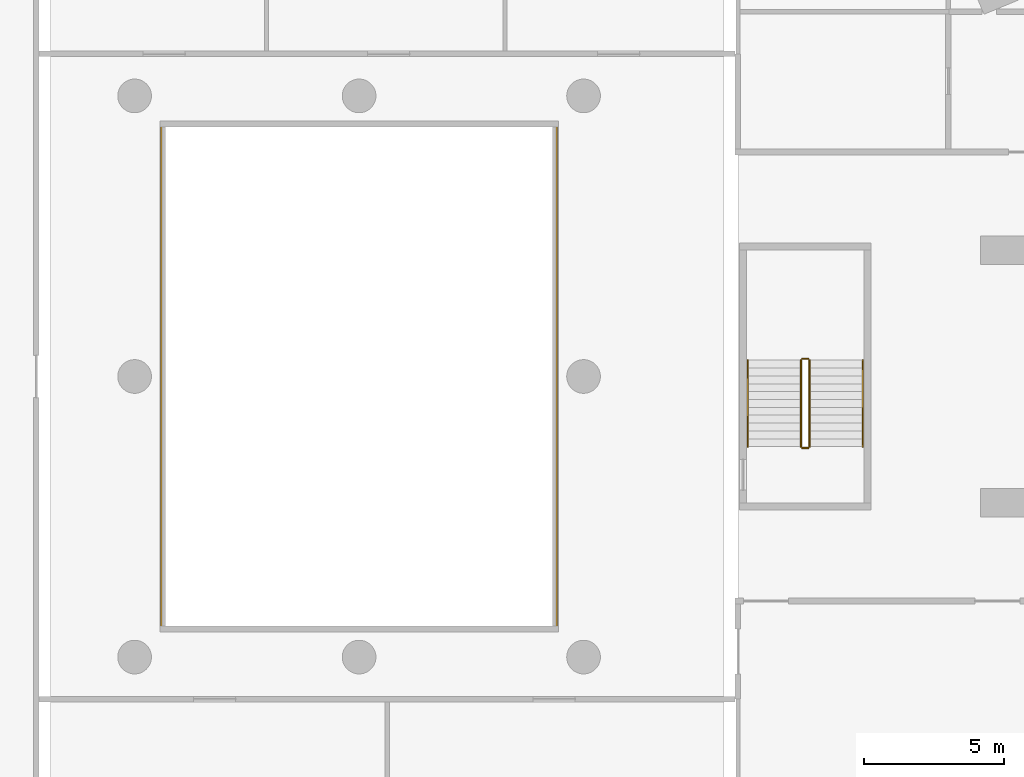
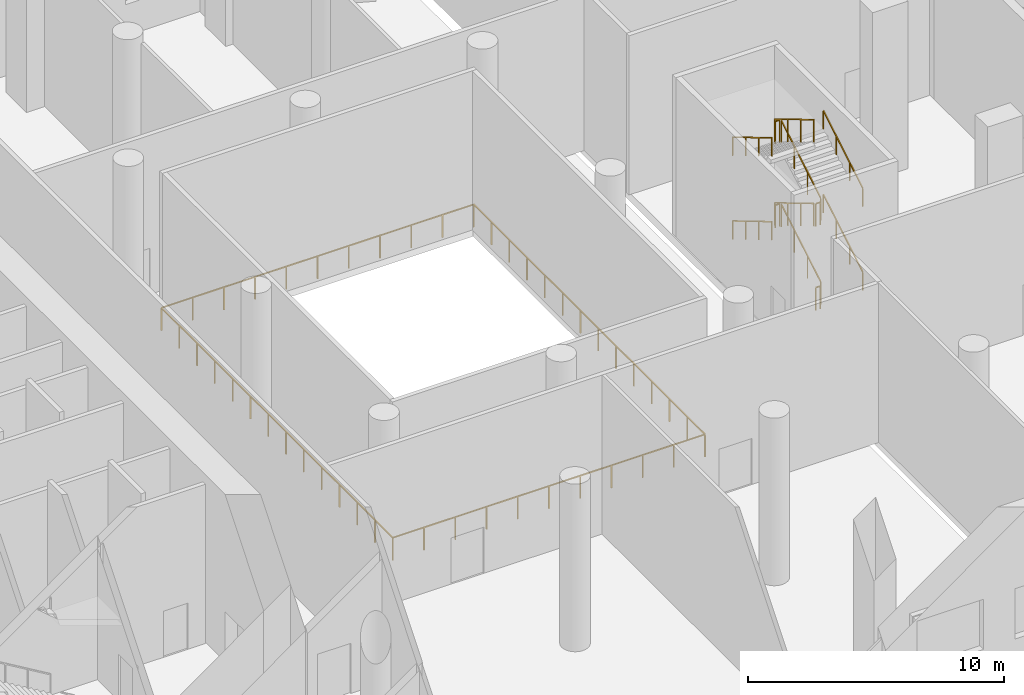
# One storey, part 16 of 18: 13 railings.
"""IFC4 building model written with IfcOpenShell, lengths in metres."""

import ifcopenshell
import ifcopenshell.guid

model = None  # the IFC model being written
_history = None  # IfcOwnerHistory: only IFC2X3 demands one
_inside = {}  # id of a spatial element -> (the spatial element, [elements in it])
_under = {}  # id of a project, library or spatial element -> (it, [spatial elements below it])
_declared = {}  # id of a project -> (the project, [libraries it declares])
_typed = {}  # id of a type object -> (the type object, [elements of that type])
_made_of = {}  # id of a material, layer set ... -> (it, [elements and type objects made of it])


def new_model(schema):
    """Start an empty IFC model of exactly this schema.

    Asked for "IFC4X3", IfcOpenShell would pick the latest addendum, in which some entities
    have other attributes; the version numbers below select the first issue.
    IFC2X3 requires an IfcOwnerHistory on every rooted entity: one is made here for all.
    """
    global model, _history
    if schema == "IFC4X3":
        model = ifcopenshell.file(schema_version=(4, 3, 0, 0))
    else:
        model = ifcopenshell.file(schema=schema)
    _inside.clear()
    _under.clear()
    _declared.clear()
    _typed.clear()
    _made_of.clear()
    _history = None
    if model.schema == "IFC2X3":
        org = make("IfcOrganization", Name="unknown")
        user = make(
            "IfcPersonAndOrganization",
            ThePerson=make("IfcPerson", FamilyName="unknown"),
            TheOrganization=org,
        )
        app = make(
            "IfcApplication",
            ApplicationDeveloper=org,
            Version="unknown",
            ApplicationFullName="unknown",
            ApplicationIdentifier="unknown",
        )
        _history = make(
            "IfcOwnerHistory",
            OwningUser=user,
            OwningApplication=app,
            ChangeAction="ADDED",
            CreationDate=0,
        )
    return model


def make(cls, **values):
    """One entity of the class cls with the attributes given. An attribute that is None is left unset."""
    return model.create_entity(
        cls, **{name: value for name, value in values.items() if value is not None}
    )


def rooted(cls, **values):
    """An entity with a GlobalId (a new one), such as an element, a storey or a relation."""
    return make(cls, GlobalId=ifcopenshell.guid.new(), OwnerHistory=_history, **values)


def si_unit(unit_type, name, prefix=None):
    """IfcSIUnit, for example si_unit("LENGTHUNIT", "METRE", prefix="MILLI")."""
    return make("IfcSIUnit", UnitType=unit_type, Prefix=prefix, Name=name)


def assignment(units):
    """IfcUnitAssignment: the units of a project."""
    return None if units is None else make("IfcUnitAssignment", Units=units)


def point(xyz):
    """IfcCartesianPoint."""
    return None if xyz is None else make("IfcCartesianPoint", Coordinates=xyz)


def direction(xyz):
    """IfcDirection."""
    return None if xyz is None else make("IfcDirection", DirectionRatios=xyz)


def frame(location, z_axis=None, x_axis=None):
    """IfcAxis2Placement3D, a coordinate frame: its origin and axes. An axis left out is left unset."""
    return make(
        "IfcAxis2Placement3D",
        Location=point(location),
        Axis=direction(z_axis),
        RefDirection=direction(x_axis),
    )


def frame_2d(location, x_axis=None):
    """IfcAxis2Placement2D, a coordinate frame in the plane: its origin and x axis."""
    return make(
        "IfcAxis2Placement2D", Location=point(location), RefDirection=direction(x_axis)
    )


def origin():
    """The frame at (0, 0, 0) with its axes left unset."""
    return frame((0.0, 0.0, 0.0))


def origin_2d():
    """The frame at (0, 0) in the plane with its x axis left unset."""
    return frame_2d((0.0, 0.0))


def place(relative_to, where):
    """IfcLocalPlacement: puts the frame where relative to a parent placement (None: the world)."""
    return make(
        "IfcLocalPlacement", PlacementRelTo=relative_to, RelativePlacement=where
    )


def context(
    kind, dimensions, precision=None, world=None, true_north=None, identifier=None
):
    """IfcGeometricRepresentationContext, for example the 3D "Model" context."""
    return make(
        "IfcGeometricRepresentationContext",
        ContextIdentifier=identifier,
        ContextType=kind,
        CoordinateSpaceDimension=dimensions,
        Precision=precision,
        WorldCoordinateSystem=world,
        TrueNorth=true_north,
    )


def subcontext(parent, identifier, kind, view, scale=None):
    """IfcGeometricRepresentationSubContext, for example "Body" below "Model"."""
    return make(
        "IfcGeometricRepresentationSubContext",
        ContextIdentifier=identifier,
        ContextType=kind,
        ParentContext=parent,
        TargetScale=scale,
        TargetView=view,
    )


def project(units=None, contexts=None):
    """IfcProject with its units and contexts."""
    return rooted(
        "IfcProject",
        Name="project",
        RepresentationContexts=contexts,
        UnitsInContext=assignment(units),
    )


def spatial(cls, under=None, at=None, **own):
    """A site, building, storey or space (cls), placed at a placement, below another one or the project."""
    s = rooted(cls, ObjectPlacement=at, **own)
    if under is not None:
        _under.setdefault(under.id(), (under, []))[1].append(s)
    return s


def profile(cls, at=None, kind="AREA", **sizes):
    """A parametric profile (cls). Its sizes go by their IFC names, for example OverallWidth=200.0."""
    return make(cls, ProfileType=kind, Position=at, **sizes)


def rectangle(**sizes):
    """IfcRectangleProfileDef."""
    return profile("IfcRectangleProfileDef", **sizes)


def extrude(swept, where, along, depth):
    """IfcExtrudedAreaSolid: the profile swept, set in the frame where, extruded along a direction by depth."""
    return make(
        "IfcExtrudedAreaSolid",
        SweptArea=swept,
        Position=where,
        ExtrudedDirection=direction(along),
        Depth=depth,
    )


def shape(context_of_items, identifier, shape_type, items):
    """IfcShapeRepresentation: the items that make up one representation, for example the "Body"."""
    return make(
        "IfcShapeRepresentation",
        ContextOfItems=context_of_items,
        RepresentationIdentifier=identifier,
        RepresentationType=shape_type,
        Items=items,
    )


def material(Name=None, Category=None):
    """IfcMaterial."""
    return make("IfcMaterial", Name=Name, Category=Category)


def made_of(thing, what):
    """Note that an element or type object is made of a material, layer set ...; save() writes the relation."""
    if what is not None:
        _made_of.setdefault(what.id(), (what, []))[1].append(thing)
    return thing


def type_object(cls, material=None, **own):
    """A type object (cls), such as IfcWallType, which elements share."""
    return made_of(rooted(cls, **own), material)


def element(
    cls,
    number,
    at=None,
    inside=None,
    cuts=None,
    type_object=None,
    material=None,
    context=None,
    identifier="Body",
    shape_type=None,
    held_by="IfcProductDefinitionShape",
    body=None,
    shapes=None,
    **own,
):
    """One element of the class cls, such as IfcWall. Its Tag is "e" and its number.

    at: its placement. inside: the storey or other place that contains it. cuts: it is an
    opening in that element (IfcRelVoidsElement). A single representation is given by context,
    identifier, shape_type and body (its items); several are given by shapes. held_by: the class
    of the entity that holds the representations. save() writes the other relations.
    """
    e = rooted(cls, Tag="e%d" % number, ObjectPlacement=at, **own)
    if body is not None:
        shapes = [shape(context, identifier, shape_type, body)]
    if shapes is not None:
        e.Representation = make(held_by, Representations=shapes)
    if inside is not None:
        _inside.setdefault(inside.id(), (inside, []))[1].append(e)
    if cuts is not None:
        rooted(
            "IfcRelVoidsElement", RelatingBuildingElement=cuts, RelatedOpeningElement=e
        )
    if type_object is not None:
        _typed.setdefault(type_object.id(), (type_object, []))[1].append(e)
    return made_of(e, material)


def aggregate(whole, parts):
    """IfcRelAggregates: a whole, such as a stair, and the parts it consists of."""
    return rooted("IfcRelAggregates", RelatingObject=whole, RelatedObjects=parts)


def save(model, path):
    """Write the relations noted so far, then the file.

    IfcRelAggregates (storeys below a building ...), IfcRelContainedInSpatialStructure (elements
    in a storey), IfcRelDefinesByType, IfcRelAssociatesMaterial and IfcRelDeclares: one each for
    every whole, place, type object, material and project.
    """
    for whole, parts in _under.values():
        aggregate(whole, parts)
    for where, things in _inside.values():
        rooted(
            "IfcRelContainedInSpatialStructure",
            RelatedElements=things,
            RelatingStructure=where,
        )
    for kind, things in _typed.values():
        rooted("IfcRelDefinesByType", RelatedObjects=things, RelatingType=kind)
    for what, things in _made_of.values():
        rooted("IfcRelAssociatesMaterial", RelatedObjects=things, RelatingMaterial=what)
    for by, libraries in _declared.values():
        rooted("IfcRelDeclares", RelatingContext=by, RelatedDefinitions=libraries)
    model.write(path)


model = new_model("IFC4")

# Units and contexts
model_context = context("Model", 3, precision=1e-05, world=origin(), true_north=direction((0.0, 1.0)))
body_context = subcontext(model_context, "Body", "Model", "MODEL_VIEW")
ifc_project = project(units=[si_unit("LENGTHUNIT", "METRE"), si_unit("AREAUNIT", "SQUARE_METRE"), si_unit("VOLUMEUNIT", "CUBIC_METRE"), si_unit("PLANEANGLEUNIT", "RADIAN"), si_unit("MASSUNIT", "GRAM", prefix="KILO")], contexts=[model_context])

# Site, building, storey
site_placement = place(None, origin())
site = spatial("IfcSite", under=ifc_project, at=site_placement, CompositionType="ELEMENT")
building_placement = place(site_placement, origin())
building = spatial("IfcBuilding", under=site, at=building_placement, Name="Cypress Arch Tower", CompositionType="ELEMENT")
storey_placement = place(building_placement, frame((0.0, 0.0, 36.0)))
storey = spatial("IfcBuildingStorey", under=building, at=storey_placement, Name="L04", CompositionType="ELEMENT", Elevation=36.0)

# Railings
ifc_material_1 = material(Name="Stainless steel posts and handrail, laminated glass infill", Category="steel")
railing_type_1 = type_object("IfcRailingType", Name="Atrium guard GR1100A", PredefinedType="GUARDRAIL", material=ifc_material_1)
railing_1_placement = place(storey_placement, frame((8.050048828125, -9.050048828125, 0.0)))
element("IfcRailing", 1, at=railing_1_placement, inside=storey, type_object=railing_type_1, Name="Atrium guard L04", PredefinedType="GUARDRAIL", context=body_context, shape_type="SweptSolid", body=[
    extrude(rectangle(XDim=0.050048828125, YDim=0.050048828125, at=origin_2d()), frame((0.0, 0.0, 1.0751953125), z_axis=(-1.0, 0.0, 0.0), x_axis=(0.0, -1.0, 0.0)), (0.0, 0.0, 1.0), 14.10009765625),
    extrude(rectangle(XDim=0.050048828125, YDim=0.050048828125, at=origin_2d()), frame((-14.10009765625, 0.0, 1.0751953125), z_axis=(0.0, 1.0, 0.0), x_axis=(-1.0, 0.0, 0.0)), (0.0, 0.0, 1.0), 18.10009765625),
    extrude(rectangle(XDim=0.050048828125, YDim=0.050048828125, at=origin_2d()), frame((-14.10009765625, 18.10009765625, 1.0751953125), z_axis=(1.0, 0.0, 0.0), x_axis=(0.0, 1.0, 0.0)), (0.0, 0.0, 1.0), 14.10009765625),
    extrude(rectangle(XDim=0.050048828125, YDim=0.050048828125, at=origin_2d()), frame((0.0, 18.10009765625, 1.0751953125), z_axis=(0.0, -1.0, 0.0), x_axis=(1.0, 0.0, 0.0)), (0.0, 0.0, 1.0), 18.10009765625),
    extrude(rectangle(XDim=0.050048828125, YDim=0.050048828125, at=origin_2d()), origin(), (0.0, 0.0, 1.0), 1.050048828125),
    extrude(rectangle(XDim=0.050048828125, YDim=0.050048828125, at=origin_2d()), frame((-1.409912109375, 0.0, 0.0)), (0.0, 0.0, 1.0), 1.050048828125),
    extrude(rectangle(XDim=0.050048828125, YDim=0.050048828125, at=origin_2d()), frame((-2.820068359375, 0.0, 0.0)), (0.0, 0.0, 1.0), 1.050048828125),
    extrude(rectangle(XDim=0.050048828125, YDim=0.050048828125, at=origin_2d()), frame((-4.22998046875, 0.0, 0.0)), (0.0, 0.0, 1.0), 1.050048828125),
    extrude(rectangle(XDim=0.050048828125, YDim=0.050048828125, at=origin_2d()), frame((-5.64013671875, 0.0, 0.0)), (0.0, 0.0, 1.0), 1.050048828125),
    extrude(rectangle(XDim=0.050048828125, YDim=0.050048828125, at=origin_2d()), frame((-7.050048828125, 0.0, 0.0)), (0.0, 0.0, 1.0), 1.050048828125),
    extrude(rectangle(XDim=0.050048828125, YDim=0.050048828125, at=origin_2d()), frame((-8.4599609375, 0.0, 0.0)), (0.0, 0.0, 1.0), 1.050048828125),
    extrude(rectangle(XDim=0.050048828125, YDim=0.050048828125, at=origin_2d()), frame((-9.8701171875, 0.0, 0.0)), (0.0, 0.0, 1.0), 1.050048828125),
    extrude(rectangle(XDim=0.050048828125, YDim=0.050048828125, at=origin_2d()), frame((-11.280029296875, 0.0, 0.0)), (0.0, 0.0, 1.0), 1.050048828125),
    extrude(rectangle(XDim=0.050048828125, YDim=0.050048828125, at=origin_2d()), frame((-12.690185546875, 0.0, 0.0)), (0.0, 0.0, 1.0), 1.050048828125),
    extrude(rectangle(XDim=0.050048828125, YDim=0.050048828125, at=origin_2d()), frame((-14.10009765625, 0.0, 0.0)), (0.0, 0.0, 1.0), 1.050048828125),
    extrude(rectangle(XDim=0.050048828125, YDim=0.050048828125, at=origin_2d()), frame((-14.10009765625, 1.392333984375, 0.0)), (0.0, 0.0, 1.0), 1.050048828125),
    extrude(rectangle(XDim=0.050048828125, YDim=0.050048828125, at=origin_2d()), frame((-14.10009765625, 2.78466796875, 0.0)), (0.0, 0.0, 1.0), 1.050048828125),
    extrude(rectangle(XDim=0.050048828125, YDim=0.050048828125, at=origin_2d()), frame((-14.10009765625, 4.177001953125, 0.0)), (0.0, 0.0, 1.0), 1.050048828125),
    extrude(rectangle(XDim=0.050048828125, YDim=0.050048828125, at=origin_2d()), frame((-14.10009765625, 5.5693359375, 0.0)), (0.0, 0.0, 1.0), 1.050048828125),
    extrude(rectangle(XDim=0.050048828125, YDim=0.050048828125, at=origin_2d()), frame((-14.10009765625, 6.961669921875, 0.0)), (0.0, 0.0, 1.0), 1.050048828125),
    extrude(rectangle(XDim=0.050048828125, YDim=0.050048828125, at=origin_2d()), frame((-14.10009765625, 8.35400390625, 0.0)), (0.0, 0.0, 1.0), 1.050048828125),
    extrude(rectangle(XDim=0.050048828125, YDim=0.050048828125, at=origin_2d()), frame((-14.10009765625, 9.74609375, 0.0)), (0.0, 0.0, 1.0), 1.050048828125),
    extrude(rectangle(XDim=0.050048828125, YDim=0.050048828125, at=origin_2d()), frame((-14.10009765625, 11.138427734375, 0.0)), (0.0, 0.0, 1.0), 1.050048828125),
    extrude(rectangle(XDim=0.050048828125, YDim=0.050048828125, at=origin_2d()), frame((-14.10009765625, 12.53076171875, 0.0)), (0.0, 0.0, 1.0), 1.050048828125),
    extrude(rectangle(XDim=0.050048828125, YDim=0.050048828125, at=origin_2d()), frame((-14.10009765625, 13.923095703125, 0.0)), (0.0, 0.0, 1.0), 1.050048828125),
    extrude(rectangle(XDim=0.050048828125, YDim=0.050048828125, at=origin_2d()), frame((-14.10009765625, 15.3154296875, 0.0)), (0.0, 0.0, 1.0), 1.050048828125),
    extrude(rectangle(XDim=0.050048828125, YDim=0.050048828125, at=origin_2d()), frame((-14.10009765625, 16.707763671875, 0.0)), (0.0, 0.0, 1.0), 1.050048828125),
    extrude(rectangle(XDim=0.050048828125, YDim=0.050048828125, at=origin_2d()), frame((-14.10009765625, 18.10009765625, 0.0)), (0.0, 0.0, 1.0), 1.050048828125),
    extrude(rectangle(XDim=0.050048828125, YDim=0.050048828125, at=origin_2d()), frame((-12.690185546875, 18.10009765625, 0.0)), (0.0, 0.0, 1.0), 1.050048828125),
    extrude(rectangle(XDim=0.050048828125, YDim=0.050048828125, at=origin_2d()), frame((-11.280029296875, 18.10009765625, 0.0)), (0.0, 0.0, 1.0), 1.050048828125),
    extrude(rectangle(XDim=0.050048828125, YDim=0.050048828125, at=origin_2d()), frame((-9.8701171875, 18.10009765625, 0.0)), (0.0, 0.0, 1.0), 1.050048828125),
    extrude(rectangle(XDim=0.050048828125, YDim=0.050048828125, at=origin_2d()), frame((-8.4599609375, 18.10009765625, 0.0)), (0.0, 0.0, 1.0), 1.050048828125),
    extrude(rectangle(XDim=0.050048828125, YDim=0.050048828125, at=origin_2d()), frame((-7.050048828125, 18.10009765625, 0.0)), (0.0, 0.0, 1.0), 1.050048828125),
    extrude(rectangle(XDim=0.050048828125, YDim=0.050048828125, at=origin_2d()), frame((-5.64013671875, 18.10009765625, 0.0)), (0.0, 0.0, 1.0), 1.050048828125),
    extrude(rectangle(XDim=0.050048828125, YDim=0.050048828125, at=origin_2d()), frame((-4.22998046875, 18.10009765625, 0.0)), (0.0, 0.0, 1.0), 1.050048828125),
    extrude(rectangle(XDim=0.050048828125, YDim=0.050048828125, at=origin_2d()), frame((-2.820068359375, 18.10009765625, 0.0)), (0.0, 0.0, 1.0), 1.050048828125),
    extrude(rectangle(XDim=0.050048828125, YDim=0.050048828125, at=origin_2d()), frame((-1.409912109375, 18.10009765625, 0.0)), (0.0, 0.0, 1.0), 1.050048828125),
    extrude(rectangle(XDim=0.050048828125, YDim=0.050048828125, at=origin_2d()), frame((0.0, 18.10009765625, 0.0)), (0.0, 0.0, 1.0), 1.050048828125),
    extrude(rectangle(XDim=0.050048828125, YDim=0.050048828125, at=origin_2d()), frame((0.0, 16.707763671875, 0.0)), (0.0, 0.0, 1.0), 1.050048828125),
    extrude(rectangle(XDim=0.050048828125, YDim=0.050048828125, at=origin_2d()), frame((0.0, 15.3154296875, 0.0)), (0.0, 0.0, 1.0), 1.050048828125),
    extrude(rectangle(XDim=0.050048828125, YDim=0.050048828125, at=origin_2d()), frame((0.0, 13.923095703125, 0.0)), (0.0, 0.0, 1.0), 1.050048828125),
    extrude(rectangle(XDim=0.050048828125, YDim=0.050048828125, at=origin_2d()), frame((0.0, 12.53076171875, 0.0)), (0.0, 0.0, 1.0), 1.050048828125),
    extrude(rectangle(XDim=0.050048828125, YDim=0.050048828125, at=origin_2d()), frame((0.0, 11.138427734375, 0.0)), (0.0, 0.0, 1.0), 1.050048828125),
    extrude(rectangle(XDim=0.050048828125, YDim=0.050048828125, at=origin_2d()), frame((0.0, 9.74609375, 0.0)), (0.0, 0.0, 1.0), 1.050048828125),
    extrude(rectangle(XDim=0.050048828125, YDim=0.050048828125, at=origin_2d()), frame((0.0, 8.35400390625, 0.0)), (0.0, 0.0, 1.0), 1.050048828125),
    extrude(rectangle(XDim=0.050048828125, YDim=0.050048828125, at=origin_2d()), frame((0.0, 6.961669921875, 0.0)), (0.0, 0.0, 1.0), 1.050048828125),
    extrude(rectangle(XDim=0.050048828125, YDim=0.050048828125, at=origin_2d()), frame((0.0, 5.5693359375, 0.0)), (0.0, 0.0, 1.0), 1.050048828125),
    extrude(rectangle(XDim=0.050048828125, YDim=0.050048828125, at=origin_2d()), frame((0.0, 4.177001953125, 0.0)), (0.0, 0.0, 1.0), 1.050048828125),
    extrude(rectangle(XDim=0.050048828125, YDim=0.050048828125, at=origin_2d()), frame((0.0, 2.78466796875, 0.0)), (0.0, 0.0, 1.0), 1.050048828125),
    extrude(rectangle(XDim=0.050048828125, YDim=0.050048828125, at=origin_2d()), frame((0.0, 1.392333984375, 0.0)), (0.0, 0.0, 1.0), 1.050048828125),
])
ifc_material_2 = material(Name="Black powder-coated steel square bar 48 mm", Category="steel")
railing_type_2 = type_object("IfcRailingType", Name="Stair handrail HR1", PredefinedType="HANDRAIL", material=ifc_material_2)
railing_2_placement = place(storey_placement, frame((18.949951171875, -2.5, 0.166748046875)))
element("IfcRailing", 2, at=railing_2_placement, inside=storey, type_object=railing_type_2, Name="L04 C stair handrail 1", PredefinedType="HANDRAIL", context=body_context, shape_type="SweptSolid", body=[
    extrude(rectangle(XDim=0.048095703125, YDim=0.048095703125, at=origin_2d()), frame((0.0, 0.0, 0.8759765625), z_axis=(0.0, 0.859308565015, 0.511457515432), x_axis=(-1.0, 0.0, 0.0)), (0.0, 0.0, 1.0), 3.58447265625),
    extrude(rectangle(XDim=0.0419921875, YDim=0.0419921875, at=origin_2d()), origin(), (0.0, 0.0, 1.0), 0.851806640625),
    extrude(rectangle(XDim=0.0419921875, YDim=0.0419921875, at=origin_2d()), frame((0.0, 1.026611328125, 0.611083984375)), (0.0, 0.0, 1.0), 0.851806640625),
    extrude(rectangle(XDim=0.0419921875, YDim=0.0419921875, at=origin_2d()), frame((0.0, 2.053466796875, 1.22216796875)), (0.0, 0.0, 1.0), 0.851806640625),
    extrude(rectangle(XDim=0.0419921875, YDim=0.0419921875, at=origin_2d()), frame((0.0, 3.080078125, 1.833251953125)), (0.0, 0.0, 1.0), 0.851806640625),
])
railing_3_placement = place(storey_placement, frame((14.85009765625, 0.580078125, 2.166748046875)))
element("IfcRailing", 3, at=railing_3_placement, inside=storey, type_object=railing_type_2, Name="L04 C stair handrail 2", PredefinedType="HANDRAIL", context=body_context, shape_type="SweptSolid", body=[
    extrude(rectangle(XDim=0.048095703125, YDim=0.048095703125, at=origin_2d()), frame((0.0, 0.0, 0.8759765625), z_axis=(0.0, -0.859308565015, 0.511457515432), x_axis=(1.0, 0.0, 0.0)), (0.0, 0.0, 1.0), 3.58447265625),
    extrude(rectangle(XDim=0.0419921875, YDim=0.0419921875, at=origin_2d()), origin(), (0.0, 0.0, 1.0), 0.851806640625),
    extrude(rectangle(XDim=0.0419921875, YDim=0.0419921875, at=origin_2d()), frame((0.0, -1.026611328125, 0.611083984375)), (0.0, 0.0, 1.0), 0.851806640625),
    extrude(rectangle(XDim=0.0419921875, YDim=0.0419921875, at=origin_2d()), frame((0.0, -2.053466796875, 1.22216796875)), (0.0, 0.0, 1.0), 0.851806640625),
    extrude(rectangle(XDim=0.0419921875, YDim=0.0419921875, at=origin_2d()), frame((0.0, -3.080078125, 1.833251953125)), (0.0, 0.0, 1.0), 0.851806640625),
])
railing_4_placement = place(storey_placement, frame((18.949951171875, -2.5, 4.166748046875)))
element("IfcRailing", 4, at=railing_4_placement, inside=storey, type_object=railing_type_2, Name="L04 C stair handrail 3", PredefinedType="HANDRAIL", context=body_context, shape_type="SweptSolid", body=[
    extrude(rectangle(XDim=0.048095703125, YDim=0.048095703125, at=origin_2d()), frame((0.0, 0.0, 0.8759765625), z_axis=(0.0, 0.859308565015, 0.511457515432), x_axis=(-1.0, 0.0, 0.0)), (0.0, 0.0, 1.0), 3.58447265625),
    extrude(rectangle(XDim=0.0419921875, YDim=0.0419921875, at=origin_2d()), origin(), (0.0, 0.0, 1.0), 0.851806640625),
    extrude(rectangle(XDim=0.0419921875, YDim=0.0419921875, at=origin_2d()), frame((0.0, 1.026611328125, 0.611083984375)), (0.0, 0.0, 1.0), 0.851806640625),
    extrude(rectangle(XDim=0.0419921875, YDim=0.0419921875, at=origin_2d()), frame((0.0, 2.053466796875, 1.22216796875)), (0.0, 0.0, 1.0), 0.851806640625),
    extrude(rectangle(XDim=0.0419921875, YDim=0.0419921875, at=origin_2d()), frame((0.0, 3.080078125, 1.833251953125)), (0.0, 0.0, 1.0), 0.851806640625),
])
railing_5_placement = place(storey_placement, frame((14.85009765625, 0.580078125, 6.166748046875)))
element("IfcRailing", 5, at=railing_5_placement, inside=storey, type_object=railing_type_2, Name="L04 C stair handrail 4", PredefinedType="HANDRAIL", context=body_context, shape_type="SweptSolid", body=[
    extrude(rectangle(XDim=0.048095703125, YDim=0.048095703125, at=origin_2d()), frame((0.0, 0.0, 0.8759765625), z_axis=(0.0, -0.859308565015, 0.511457515432), x_axis=(1.0, 0.0, 0.0)), (0.0, 0.0, 1.0), 3.58447265625),
    extrude(rectangle(XDim=0.0419921875, YDim=0.0419921875, at=origin_2d()), origin(), (0.0, 0.0, 1.0), 0.851806640625),
    extrude(rectangle(XDim=0.0419921875, YDim=0.0419921875, at=origin_2d()), frame((0.0, -1.026611328125, 0.611083984375)), (0.0, 0.0, 1.0), 0.851806640625),
    extrude(rectangle(XDim=0.0419921875, YDim=0.0419921875, at=origin_2d()), frame((0.0, -2.053466796875, 1.22216796875)), (0.0, 0.0, 1.0), 0.851806640625),
    extrude(rectangle(XDim=0.0419921875, YDim=0.0419921875, at=origin_2d()), frame((0.0, -3.080078125, 1.833251953125)), (0.0, 0.0, 1.0), 0.851806640625),
])
ifc_material_3 = material(Name="Black powder-coated steel balusters", Category="steel")
railing_type_3 = type_object("IfcRailingType", Name="Stair well guard G1", PredefinedType="GUARDRAIL", material=ifc_material_3)
railing_6_placement = place(storey_placement, frame((17.050048828125, -2.5, 0.166748046875)))
element("IfcRailing", 6, at=railing_6_placement, inside=storey, type_object=railing_type_3, Name="L04 C stair guard 1", PredefinedType="GUARDRAIL", context=body_context, shape_type="SweptSolid", body=[
    extrude(rectangle(XDim=0.048095703125, YDim=0.048095703125, at=origin_2d()), frame((0.0, 0.0, 1.076171875), z_axis=(0.0, 0.859308565015, 0.511457515432), x_axis=(-1.0, 0.0, 0.0)), (0.0, 0.0, 1.0), 3.58447265625),
    extrude(rectangle(XDim=0.0419921875, YDim=0.0419921875, at=origin_2d()), origin(), (0.0, 0.0, 1.0), 1.052001953125),
    extrude(rectangle(XDim=0.0419921875, YDim=0.0419921875, at=origin_2d()), frame((0.0, 1.026611328125, 0.611083984375)), (0.0, 0.0, 1.0), 1.052001953125),
    extrude(rectangle(XDim=0.0419921875, YDim=0.0419921875, at=origin_2d()), frame((0.0, 2.053466796875, 1.22216796875)), (0.0, 0.0, 1.0), 1.052001953125),
    extrude(rectangle(XDim=0.0419921875, YDim=0.0419921875, at=origin_2d()), frame((0.0, 3.080078125, 1.833251953125)), (0.0, 0.0, 1.0), 1.052001953125),
])
railing_7_placement = place(storey_placement, frame((17.0, 0.6298828125, 2.0)))
element("IfcRailing", 7, at=railing_7_placement, inside=storey, type_object=railing_type_3, Name="L04 C stair guard 2", PredefinedType="GUARDRAIL", context=body_context, shape_type="SweptSolid", body=[
    extrude(rectangle(XDim=0.048095703125, YDim=0.048095703125, at=origin_2d()), frame((0.0, 0.0, 1.076171875), z_axis=(-1.0, 0.0, 0.0), x_axis=(0.0, -1.0, 0.0)), (0.0, 0.0, 1.0), 0.199951171875),
    extrude(rectangle(XDim=0.0419921875, YDim=0.0419921875, at=origin_2d()), origin(), (0.0, 0.0, 1.0), 1.052001953125),
    extrude(rectangle(XDim=0.0419921875, YDim=0.0419921875, at=origin_2d()), frame((-0.199951171875, 0.0, 0.0)), (0.0, 0.0, 1.0), 1.052001953125),
])
railing_8_placement = place(storey_placement, frame((16.75, 0.580078125, 2.166748046875)))
element("IfcRailing", 8, at=railing_8_placement, inside=storey, type_object=railing_type_3, Name="L04 C stair guard 3", PredefinedType="GUARDRAIL", context=body_context, shape_type="SweptSolid", body=[
    extrude(rectangle(XDim=0.048095703125, YDim=0.048095703125, at=origin_2d()), frame((0.0, 0.0, 1.076171875), z_axis=(0.0, -0.859308565015, 0.511457515432), x_axis=(1.0, 0.0, 0.0)), (0.0, 0.0, 1.0), 3.58447265625),
    extrude(rectangle(XDim=0.0419921875, YDim=0.0419921875, at=origin_2d()), origin(), (0.0, 0.0, 1.0), 1.052001953125),
    extrude(rectangle(XDim=0.0419921875, YDim=0.0419921875, at=origin_2d()), frame((0.0, -1.026611328125, 0.611083984375)), (0.0, 0.0, 1.0), 1.052001953125),
    extrude(rectangle(XDim=0.0419921875, YDim=0.0419921875, at=origin_2d()), frame((0.0, -2.053466796875, 1.22216796875)), (0.0, 0.0, 1.0), 1.052001953125),
    extrude(rectangle(XDim=0.0419921875, YDim=0.0419921875, at=origin_2d()), frame((0.0, -3.080078125, 1.833251953125)), (0.0, 0.0, 1.0), 1.052001953125),
])
railing_9_placement = place(storey_placement, frame((17.0, -2.550048828125, 4.0)))
element("IfcRailing", 9, at=railing_9_placement, inside=storey, type_object=railing_type_3, Name="L04 C stair guard 4", PredefinedType="GUARDRAIL", context=body_context, shape_type="SweptSolid", body=[
    extrude(rectangle(XDim=0.048095703125, YDim=0.048095703125, at=origin_2d()), frame((0.0, 0.0, 1.076171875), z_axis=(-1.0, 0.0, 0.0), x_axis=(0.0, -1.0, 0.0)), (0.0, 0.0, 1.0), 0.199951171875),
    extrude(rectangle(XDim=0.0419921875, YDim=0.0419921875, at=origin_2d()), origin(), (0.0, 0.0, 1.0), 1.052001953125),
    extrude(rectangle(XDim=0.0419921875, YDim=0.0419921875, at=origin_2d()), frame((-0.199951171875, 0.0, 0.0)), (0.0, 0.0, 1.0), 1.052001953125),
])
railing_10_placement = place(storey_placement, frame((17.050048828125, -2.5, 4.166748046875)))
element("IfcRailing", 10, at=railing_10_placement, inside=storey, type_object=railing_type_3, Name="L04 C stair guard 5", PredefinedType="GUARDRAIL", context=body_context, shape_type="SweptSolid", body=[
    extrude(rectangle(XDim=0.048095703125, YDim=0.048095703125, at=origin_2d()), frame((0.0, 0.0, 1.076171875), z_axis=(0.0, 0.859308565015, 0.511457515432), x_axis=(-1.0, 0.0, 0.0)), (0.0, 0.0, 1.0), 3.58447265625),
    extrude(rectangle(XDim=0.0419921875, YDim=0.0419921875, at=origin_2d()), origin(), (0.0, 0.0, 1.0), 1.052001953125),
    extrude(rectangle(XDim=0.0419921875, YDim=0.0419921875, at=origin_2d()), frame((0.0, 1.026611328125, 0.611083984375)), (0.0, 0.0, 1.0), 1.052001953125),
    extrude(rectangle(XDim=0.0419921875, YDim=0.0419921875, at=origin_2d()), frame((0.0, 2.053466796875, 1.22216796875)), (0.0, 0.0, 1.0), 1.052001953125),
    extrude(rectangle(XDim=0.0419921875, YDim=0.0419921875, at=origin_2d()), frame((0.0, 3.080078125, 1.833251953125)), (0.0, 0.0, 1.0), 1.052001953125),
])
railing_11_placement = place(storey_placement, frame((17.0, 0.6298828125, 6.0)))
element("IfcRailing", 11, at=railing_11_placement, inside=storey, type_object=railing_type_3, Name="L04 C stair guard 6", PredefinedType="GUARDRAIL", context=body_context, shape_type="SweptSolid", body=[
    extrude(rectangle(XDim=0.048095703125, YDim=0.048095703125, at=origin_2d()), frame((0.0, 0.0, 1.076171875), z_axis=(-1.0, 0.0, 0.0), x_axis=(0.0, -1.0, 0.0)), (0.0, 0.0, 1.0), 0.199951171875),
    extrude(rectangle(XDim=0.0419921875, YDim=0.0419921875, at=origin_2d()), origin(), (0.0, 0.0, 1.0), 1.052001953125),
    extrude(rectangle(XDim=0.0419921875, YDim=0.0419921875, at=origin_2d()), frame((-0.199951171875, 0.0, 0.0)), (0.0, 0.0, 1.0), 1.052001953125),
])
railing_12_placement = place(storey_placement, frame((16.75, 0.580078125, 6.166748046875)))
element("IfcRailing", 12, at=railing_12_placement, inside=storey, type_object=railing_type_3, Name="L04 C stair guard 7", PredefinedType="GUARDRAIL", context=body_context, shape_type="SweptSolid", body=[
    extrude(rectangle(XDim=0.048095703125, YDim=0.048095703125, at=origin_2d()), frame((0.0, 0.0, 1.076171875), z_axis=(0.0, -0.859308565015, 0.511457515432), x_axis=(1.0, 0.0, 0.0)), (0.0, 0.0, 1.0), 3.58447265625),
    extrude(rectangle(XDim=0.0419921875, YDim=0.0419921875, at=origin_2d()), origin(), (0.0, 0.0, 1.0), 1.052001953125),
    extrude(rectangle(XDim=0.0419921875, YDim=0.0419921875, at=origin_2d()), frame((0.0, -1.026611328125, 0.611083984375)), (0.0, 0.0, 1.0), 1.052001953125),
    extrude(rectangle(XDim=0.0419921875, YDim=0.0419921875, at=origin_2d()), frame((0.0, -2.053466796875, 1.22216796875)), (0.0, 0.0, 1.0), 1.052001953125),
    extrude(rectangle(XDim=0.0419921875, YDim=0.0419921875, at=origin_2d()), frame((0.0, -3.080078125, 1.833251953125)), (0.0, 0.0, 1.0), 1.052001953125),
])
railing_13_placement = place(storey_placement, frame((17.0, -2.550048828125, 0.0)))
element("IfcRailing", 13, at=railing_13_placement, inside=storey, type_object=railing_type_3, Name="L04 C stair guard 8", PredefinedType="GUARDRAIL", context=body_context, shape_type="SweptSolid", body=[
    extrude(rectangle(XDim=0.048095703125, YDim=0.048095703125, at=origin_2d()), frame((0.0, 0.0, 1.076171875), z_axis=(-1.0, 0.0, 0.0), x_axis=(0.0, -1.0, 0.0)), (0.0, 0.0, 1.0), 0.199951171875),
    extrude(rectangle(XDim=0.0419921875, YDim=0.0419921875, at=origin_2d()), origin(), (0.0, 0.0, 1.0), 1.052001953125),
    extrude(rectangle(XDim=0.0419921875, YDim=0.0419921875, at=origin_2d()), frame((-0.199951171875, 0.0, 0.0)), (0.0, 0.0, 1.0), 1.052001953125),
])

save(model, "model.ifc")
